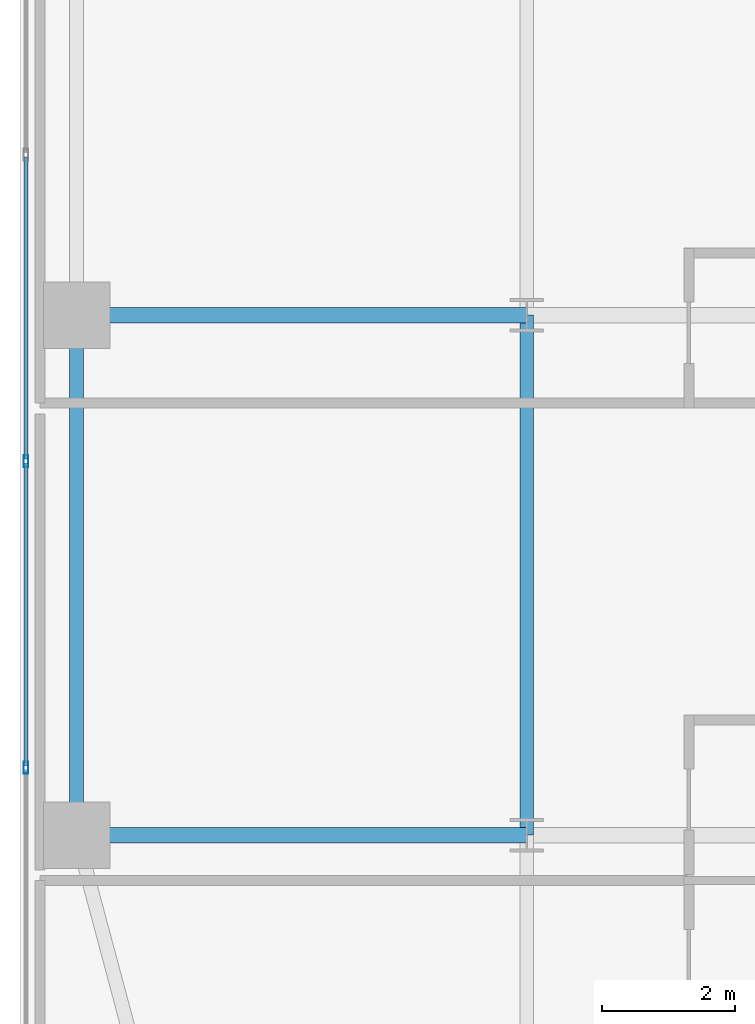
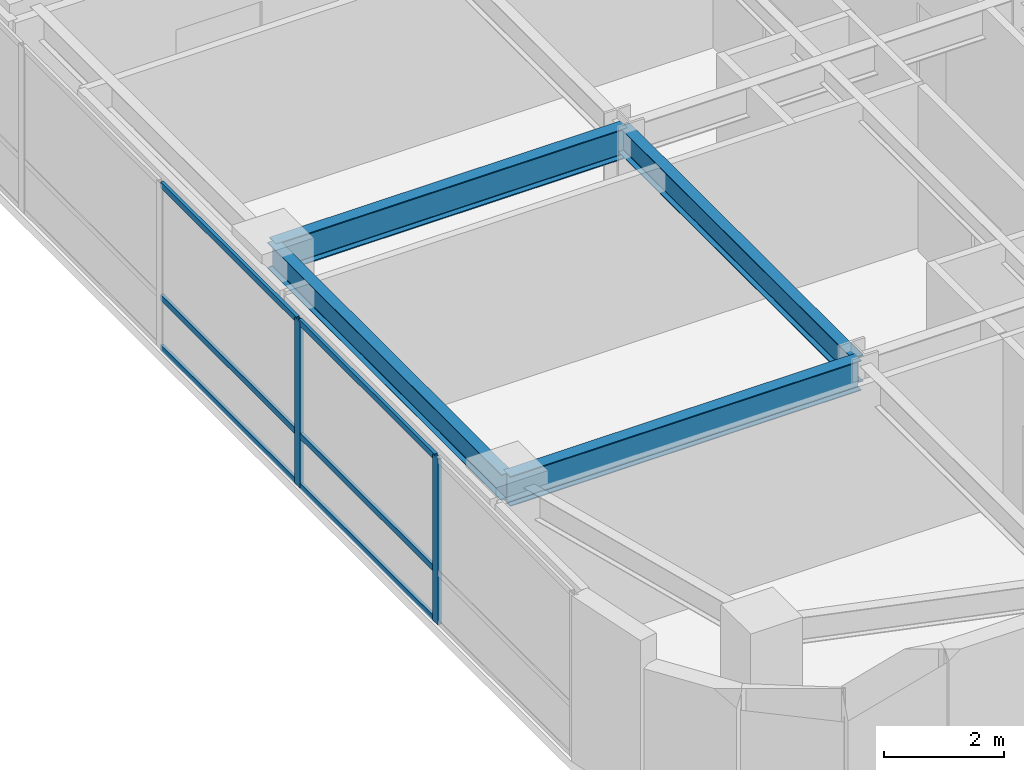
# One storey, part 4 of 30: 8 members, 4 beams, 1 element without a shape of its own.
"""IFC4 building model written with IfcOpenShell, lengths in metres."""

from ifc_helpers import new_model, si_unit, direction, frame, origin, origin_2d, place, context, subcontext, project, spatial, hollow_rectangle, i_section, extrude, source, transform, mapped, material, layer, layer_set, material_profile, profile_set, type_object, type_shapes, element, aggregate, save


model = new_model("IFC4")

# Units and contexts
model_context = context("Model", 3, precision=1e-05, world=origin(), true_north=direction((0.0, 1.0)))
body_context = subcontext(model_context, "Body", "Model", "MODEL_VIEW")
ifc_project = project(units=[si_unit("LENGTHUNIT", "METRE"), si_unit("AREAUNIT", "SQUARE_METRE"), si_unit("VOLUMEUNIT", "CUBIC_METRE"), si_unit("PLANEANGLEUNIT", "RADIAN"), si_unit("MASSUNIT", "GRAM", prefix="KILO")], contexts=[model_context])

# Site, building, storey
site_placement = place(None, origin())
site = spatial("IfcSite", under=ifc_project, at=site_placement, CompositionType="ELEMENT")
building_placement = place(site_placement, origin())
building = spatial("IfcBuilding", under=site, at=building_placement, Name="Tolvann Quenvar Hotel", CompositionType="ELEMENT")
storey_placement = place(building_placement, frame((0.0, 0.0, 56.85009765625)))
storey = spatial("IfcBuildingStorey", under=building, at=storey_placement, Name="L13", CompositionType="ELEMENT", Elevation=56.85009765625)

# Beams
ifc_material_1 = material(Name="Steel Grade 350", Category="steel")
ifc_material_profile_1 = material_profile(ifc_material_1, i_section(OverallWidth=0.22900390625, OverallDepth=0.612060546875, WebThickness=0.011962890625, FlangeThickness=0.01953125, FilletRadius=0.013916015625, at=origin_2d()), Name="610UB125")
ifc_profile_set_1 = profile_set([ifc_material_profile_1], Name="Steel Grade 350")
beam_type_1 = type_object("IfcBeamType", Name="BM_GIRD_610UB125", PredefinedType="BEAM", material=ifc_profile_set_1)
shared_shape_1 = source(origin(), body_context, "Body", "SweptSolid", [
    extrude(i_section(OverallWidth=0.22900390625, OverallDepth=0.612060546875, WebThickness=0.011962890625, FlangeThickness=0.01953125, FilletRadius=0.013916015625, at=origin_2d()), origin(), (0.0, 0.0, 1.0), 6.75),
])
type_shapes(beam_type_1, [shared_shape_1])
for number, where, z_axis, x_axis, name in (
    (1, (0.85009765625, 8.199951171875, 3.06396484375), (1.0, 0.0, 0.0), (0.0, 1.0, 0.0), "BM-L13-EW-3-B3-C3"),
    (2, (0.85009765625, 16.0, 3.06396484375), (1.0, 0.0, 0.0), (0.0, 1.0, 0.0), "BM-L13-EW-4-B4-C4"),
):
    element("IfcBeam", number, at=place(storey_placement, frame(where, z_axis=z_axis, x_axis=x_axis)), inside=storey, type_object=beam_type_1, Name=name, PredefinedType="BEAM", context=body_context, shape_type="MappedRepresentation", body=[
        mapped(shared_shape_1, transform((0.0, 0.0, 0.0), x_axis=(1.0, 0.0, 0.0), y_axis=(0.0, 1.0, 0.0), z_axis=(0.0, 0.0, 1.0), scale=1.0)),
    ])
ifc_material_profile_2 = material_profile(ifc_material_1, i_section(OverallWidth=0.208984375, OverallDepth=0.528076171875, WebThickness=0.009521484375, FlangeThickness=0.01318359375, FilletRadius=0.013916015625, at=origin_2d()), Name="530UB82")
ifc_profile_set_2 = profile_set([ifc_material_profile_2], Name="Steel Grade 350")
beam_type_2 = type_object("IfcBeamType", Name="BM_SPAND_530UB82", PredefinedType="SPANDREL", material=ifc_profile_set_2)
shared_shape_2 = source(origin(), body_context, "Body", "SweptSolid", [
    extrude(i_section(OverallWidth=0.208984375, OverallDepth=0.528076171875, WebThickness=0.009521484375, FlangeThickness=0.01318359375, FilletRadius=0.013916015625, at=origin_2d()), origin(), (0.0, 0.0, 1.0), 7.800048828125),
])
type_shapes(beam_type_2, [shared_shape_2])
beam_1_placement = place(storey_placement, frame((0.85009765625, 8.199951171875, 3.10595703125), z_axis=(0.0, 1.0, 0.0), x_axis=(-1.0, 0.0, 0.0)))
element("IfcBeam", 3, at=beam_1_placement, inside=storey, type_object=beam_type_2, Name="BM-L13-NS-B3-B4", PredefinedType="SPANDREL", context=body_context, shape_type="MappedRepresentation", body=[
    mapped(shared_shape_2, transform((0.0, 0.0, 0.0), x_axis=(1.0, 0.0, 0.0), y_axis=(0.0, 1.0, 0.0), z_axis=(0.0, 0.0, 1.0), scale=1.0)),
])
ifc_material_profile_3 = material_profile(ifc_material_1, i_section(OverallWidth=0.208984375, OverallDepth=0.532958984375, WebThickness=0.01025390625, FlangeThickness=0.015625, FilletRadius=0.013916015625, at=origin_2d()), Name="530UB92")
ifc_profile_set_3 = profile_set([ifc_material_profile_3], Name="Steel Grade 350")
beam_type_3 = type_object("IfcBeamType", Name="BM_GIRD_530UB92", PredefinedType="BEAM", material=ifc_profile_set_3)
shared_shape_3 = source(origin(), body_context, "Body", "SweptSolid", [
    extrude(i_section(OverallWidth=0.208984375, OverallDepth=0.532958984375, WebThickness=0.01025390625, FlangeThickness=0.015625, FilletRadius=0.013916015625, at=origin_2d()), origin(), (0.0, 0.0, 1.0), 7.800048828125),
])
type_shapes(beam_type_3, [shared_shape_3])
beam_2_placement = place(storey_placement, frame((7.60009765625, 8.199951171875, 3.103515625), z_axis=(0.0, 1.0, 0.0), x_axis=(-1.0, 0.0, 0.0)))
element("IfcBeam", 4, at=beam_2_placement, inside=storey, type_object=beam_type_3, Name="BM-L13-NS-C3-C4", PredefinedType="BEAM", context=body_context, shape_type="MappedRepresentation", body=[
    mapped(shared_shape_3, transform((0.0, 0.0, 0.0), x_axis=(1.0, 0.0, 0.0), y_axis=(0.0, 1.0, 0.0), z_axis=(0.0, 0.0, 1.0), scale=1.0)),
])

# Curtain wall, members
ifc_material_2 = material(Name="Thermally broken anodised architectural aluminium 6063-T6 and laminated low-E glass", Category="aluminium")
ifc_layer = layer(ifc_material_2, 0.179931640625)
ifc_layer_set = layer_set([ifc_layer], Name="Thermally broken anodised architectural aluminium 6063-T6 and laminated low-E glass")
curtain_wall_type = type_object("IfcCurtainWallType", Name="CW_SYS_BAND_04", PredefinedType="USERDEFINED", material=ifc_layer_set)
curtain_wall_placement = place(storey_placement, origin())
curtain_wall = element("IfcCurtainWall", 5, at=curtain_wall_placement, inside=storey, type_object=curtain_wall_type, Name="Curtain Wall CW-BAND-04 (CWR-L13-E23)", ObjectType="UNITISED CURTAIN WALL", PredefinedType="USERDEFINED")
ifc_material_3 = material(Name="Anodised architectural aluminium 6063-T6 framing", Category="aluminium")
ifc_material_profile_4 = material_profile(ifc_material_3, hollow_rectangle(XDim=0.070068359375, YDim=0.179931640625, WallThickness=0.00390625, at=origin_2d()), Name="180x70x4RHS")
ifc_profile_set_4 = profile_set([ifc_material_profile_4], Name="Anodised architectural aluminium 6063-T6 framing")
member_type_1 = type_object("IfcMemberType", Name="CW_MULL_180x70", PredefinedType="MULLION", material=ifc_profile_set_4)
shared_shape_4 = source(origin(), body_context, "Body", "SweptSolid", [
    extrude(hollow_rectangle(XDim=0.070068359375, YDim=0.179931640625, WallThickness=0.00390625, at=origin_2d()), origin(), (0.0, 0.0, 1.0), 3.369873046875),
])
type_shapes(member_type_1, [shared_shape_4])
member_1_placement = place(storey_placement, frame((0.090087890625, 13.80859375, 0.0), z_axis=(0.0, 0.0, 1.0), x_axis=(1.0, 0.0, 0.0)))
member_1 = element("IfcMember", 6, at=member_1_placement, type_object=member_type_1, Name="CW-BAND-04 mullion 7", PredefinedType="MULLION", context=body_context, shape_type="MappedRepresentation", body=[
    mapped(shared_shape_4, transform((0.0, 0.0, 0.0), x_axis=(1.0, 0.0, 0.0), y_axis=(0.0, 1.0, 0.0), z_axis=(0.0, 0.0, 1.0), scale=1.0)),
])
member_2_placement = place(storey_placement, frame((0.090087890625, 9.212890625, 0.0), z_axis=(0.0, 0.0, 1.0), x_axis=(1.0, 0.0, 0.0)))
member_2 = element("IfcMember", 7, at=member_2_placement, type_object=member_type_1, Name="CW-BAND-04 mullion 8", PredefinedType="MULLION", context=body_context, shape_type="MappedRepresentation", body=[
    mapped(shared_shape_4, transform((0.0, 0.0, 0.0), x_axis=(1.0, 0.0, 0.0), y_axis=(0.0, 1.0, 0.0), z_axis=(0.0, 0.0, 1.0), scale=1.0)),
])
ifc_material_profile_5 = material_profile(ifc_material_3, hollow_rectangle(XDim=0.06005859375, YDim=0.1201171875, WallThickness=0.00341796875, at=origin_2d()), Name="120x60x3.5RHS")
ifc_profile_set_5 = profile_set([ifc_material_profile_5], Name="Anodised architectural aluminium 6063-T6 framing")
member_type_2 = type_object("IfcMemberType", Name="CW_TRAN_120x60", PredefinedType="USERDEFINED", material=ifc_profile_set_5)
shared_shape_5 = source(origin(), body_context, "Body", "SweptSolid", [
    extrude(hollow_rectangle(XDim=0.06005859375, YDim=0.1201171875, WallThickness=0.00341796875, at=origin_2d()), origin(), (0.0, 0.0, 1.0), 4.52587890625),
])
type_shapes(member_type_2, [shared_shape_5])
member_3_placement = place(storey_placement, frame((0.090087890625, 18.369384765625, 0.02978515625), z_axis=(0.0, -1.0, 0.0), x_axis=(1.0, 0.0, 0.0)))
member_3 = element("IfcMember", 8, at=member_3_placement, type_object=member_type_2, Name="CW-BAND-04 transom 6.1", ObjectType="TRANSOM", PredefinedType="USERDEFINED", context=body_context, shape_type="MappedRepresentation", body=[
    mapped(shared_shape_5, transform((0.0, 0.0, 0.0), x_axis=(1.0, 0.0, 0.0), y_axis=(0.0, 1.0, 0.0), z_axis=(0.0, 0.0, 1.0), scale=1.0)),
])
member_4_placement = place(storey_placement, frame((0.090087890625, 18.369384765625, 1.0498046875), z_axis=(0.0, -1.0, 0.0), x_axis=(1.0, 0.0, 0.0)))
member_4 = element("IfcMember", 9, at=member_4_placement, type_object=member_type_2, Name="CW-BAND-04 transom 6.2", ObjectType="TRANSOM", PredefinedType="USERDEFINED", context=body_context, shape_type="MappedRepresentation", body=[
    mapped(shared_shape_5, transform((0.0, 0.0, 0.0), x_axis=(1.0, 0.0, 0.0), y_axis=(0.0, 1.0, 0.0), z_axis=(0.0, 0.0, 1.0), scale=1.0)),
])
member_5_placement = place(storey_placement, frame((0.090087890625, 18.369384765625, 3.33984375), z_axis=(0.0, -1.0, 0.0), x_axis=(1.0, 0.0, 0.0)))
member_5 = element("IfcMember", 10, at=member_5_placement, type_object=member_type_2, Name="CW-BAND-04 transom 6.3", ObjectType="TRANSOM", PredefinedType="USERDEFINED", context=body_context, shape_type="MappedRepresentation", body=[
    mapped(shared_shape_5, transform((0.0, 0.0, 0.0), x_axis=(1.0, 0.0, 0.0), y_axis=(0.0, 1.0, 0.0), z_axis=(0.0, 0.0, 1.0), scale=1.0)),
])
member_6_placement = place(storey_placement, frame((0.090087890625, 13.773681640625, 0.02978515625), z_axis=(0.0, -1.0, 0.0), x_axis=(1.0, 0.0, 0.0)))
member_6 = element("IfcMember", 11, at=member_6_placement, type_object=member_type_2, Name="CW-BAND-04 transom 7.1", ObjectType="TRANSOM", PredefinedType="USERDEFINED", context=body_context, shape_type="MappedRepresentation", body=[
    mapped(shared_shape_5, transform((0.0, 0.0, 0.0), x_axis=(1.0, 0.0, 0.0), y_axis=(0.0, 1.0, 0.0), z_axis=(0.0, 0.0, 1.0), scale=1.0)),
])
member_7_placement = place(storey_placement, frame((0.090087890625, 13.773681640625, 1.0498046875), z_axis=(0.0, -1.0, 0.0), x_axis=(1.0, 0.0, 0.0)))
member_7 = element("IfcMember", 12, at=member_7_placement, type_object=member_type_2, Name="CW-BAND-04 transom 7.2", ObjectType="TRANSOM", PredefinedType="USERDEFINED", context=body_context, shape_type="MappedRepresentation", body=[
    mapped(shared_shape_5, transform((0.0, 0.0, 0.0), x_axis=(1.0, 0.0, 0.0), y_axis=(0.0, 1.0, 0.0), z_axis=(0.0, 0.0, 1.0), scale=1.0)),
])
member_8_placement = place(storey_placement, frame((0.090087890625, 13.773681640625, 3.33984375), z_axis=(0.0, -1.0, 0.0), x_axis=(1.0, 0.0, 0.0)))
member_8 = element("IfcMember", 13, at=member_8_placement, type_object=member_type_2, Name="CW-BAND-04 transom 7.3", ObjectType="TRANSOM", PredefinedType="USERDEFINED", context=body_context, shape_type="MappedRepresentation", body=[
    mapped(shared_shape_5, transform((0.0, 0.0, 0.0), x_axis=(1.0, 0.0, 0.0), y_axis=(0.0, 1.0, 0.0), z_axis=(0.0, 0.0, 1.0), scale=1.0)),
])
aggregate(curtain_wall, [member_1, member_2, member_3, member_4, member_5, member_6, member_7, member_8])

save(model, "model.ifc")
